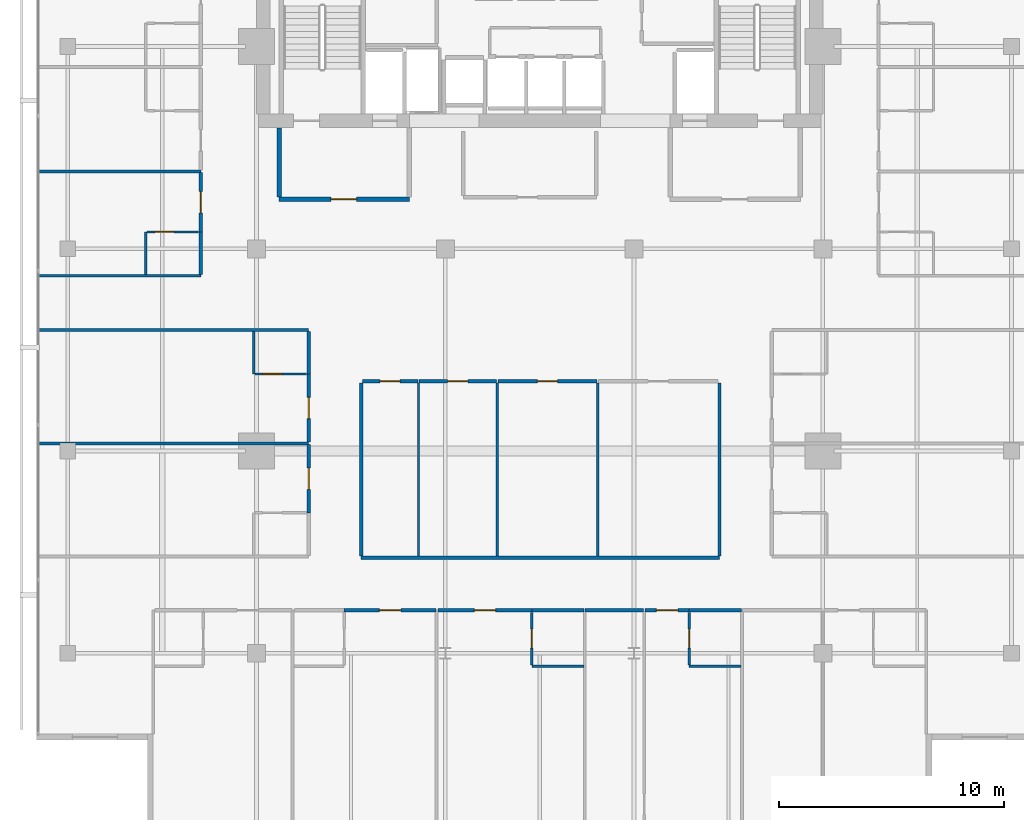
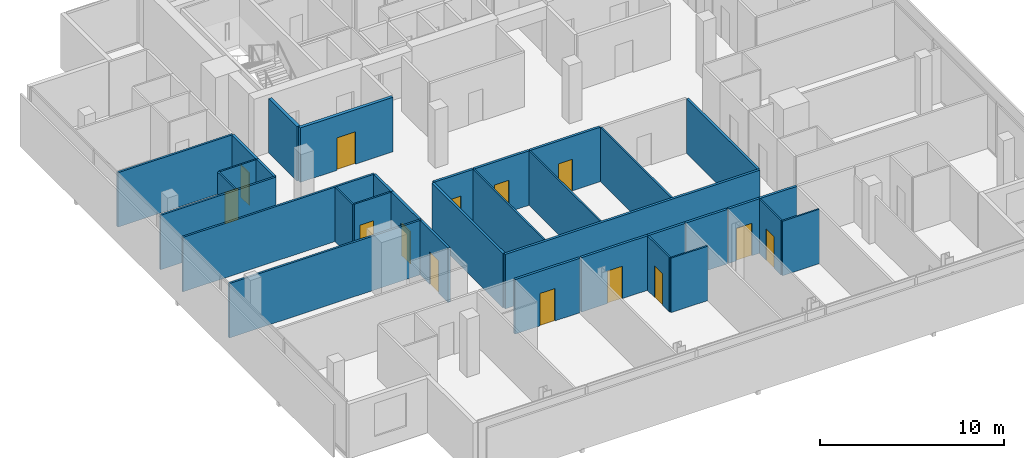
# One storey, part 20 of 26: 34 walls, 14 doors, 14 openings.
"""IFC4 building model written with IfcOpenShell, lengths in metres."""

from ifc_helpers import new_model, si_unit, direction, frame, frame_2d, origin, place, context, subcontext, project, spatial, rectangle, extrude, material, layer, layer_set, type_object, element, fill, save


model = new_model("IFC4")

# Units and contexts
model_context = context("Model", 3, precision=1e-05, world=origin(), true_north=direction((0.0, 1.0)))
body_context = subcontext(model_context, "Body", "Model", "MODEL_VIEW")
ifc_project = project(units=[si_unit("LENGTHUNIT", "METRE"), si_unit("AREAUNIT", "SQUARE_METRE"), si_unit("VOLUMEUNIT", "CUBIC_METRE"), si_unit("PLANEANGLEUNIT", "RADIAN"), si_unit("MASSUNIT", "GRAM", prefix="KILO")], contexts=[model_context])

# Site, building, storey
site_placement = place(None, origin())
site = spatial("IfcSite", under=ifc_project, at=site_placement, CompositionType="ELEMENT")
building_placement = place(site_placement, origin())
building = spatial("IfcBuilding", under=site, at=building_placement, Name="Maruvema Waterfront Hotel and Observation Tower", CompositionType="ELEMENT")
storey_placement = place(building_placement, frame((0.0, 0.0, 293.300048828125)))
storey = spatial("IfcBuildingStorey", under=building, at=storey_placement, Name="L72", CompositionType="ELEMENT", Elevation=293.300048828125)

# Walls
ifc_material_1 = material(Name="Twin-stud acoustic gypsum drywall", Category="gypsum")
ifc_layer_1 = layer(ifc_material_1, 0.14990234375, Name="Acoustic Corridor and Suite Demising Wall 150 mm")
ifc_layer_set_1 = layer_set([ifc_layer_1], Name="Twin-stud acoustic gypsum drywall")
wall_type_1 = type_object("IfcWallType", Name="Acoustic Corridor and Suite Demising Wall 150 mm", PredefinedType="PARTITIONING", material=ifc_layer_set_1)
wall_1_placement = place(storey_placement, frame((29.85009765625, 22.25, 0.0), z_axis=(0.0, 0.0, 1.0), x_axis=(1.0, 0.0, 0.0)))
element("IfcWall", 1, at=wall_1_placement, inside=storey, type_object=wall_type_1, Name="L72 L72-Z3M Back Wall 025", PredefinedType="PARTITIONING", context=body_context, shape_type="SweptSolid", body=[
    extrude(rectangle(XDim=15.949951171875, YDim=0.14990234375, at=frame_2d((7.97509765625, 0.0))), origin(), (0.0, 0.0, 1.0), 3.60986328125),
])
for number, where, z_axis, x_axis, name in (
    (2, (29.85009765625, 22.330078125, 0.0), (0.0, 0.0, 1.0), (0.0, 1.0, 0.0), "L72 L72-Z3M West Wall 026"),
    (3, (45.800048828125, 22.330078125, 0.0), (0.0, 0.0, 1.0), (0.0, 1.0, 0.0), "L72 L72-Z3M East Wall 027"),
):
    element("IfcWall", number, at=place(storey_placement, frame(where, z_axis=z_axis, x_axis=x_axis)), inside=storey, type_object=wall_type_1, Name=name, PredefinedType="PARTITIONING", context=body_context, shape_type="SweptSolid", body=[
        extrude(rectangle(XDim=7.68994140625, YDim=0.14990234375, at=frame_2d((3.844970703125, 0.0))), origin(), (0.0, 0.0, 1.0), 3.60986328125),
    ])

# Wall, opening, door
wall_2_placement = place(storey_placement, frame((29.909912109375, 30.10009765625, 0.0), z_axis=(0.0, 0.0, 1.0), x_axis=(1.0, 0.0, 0.0)))
wall_2 = element("IfcWall", 4, at=wall_2_placement, inside=storey, type_object=wall_type_1, Name="L72 L72-Z3M Front 1 028", PredefinedType="PARTITIONING", context=body_context, shape_type="SweptSolid", body=[
    extrude(rectangle(XDim=2.462158203125, YDim=0.14990234375, at=frame_2d((1.23095703125, 0.0))), origin(), (0.0, 0.0, 1.0), 3.60986328125),
])
opening_1_placement = place(wall_2_placement, frame((0.781005859375, 0.0, 0.0)))
opening_1 = element("IfcOpeningElement", 5, at=opening_1_placement, cuts=wall_2, Name="Opening DR-090", PredefinedType="OPENING", context=body_context, shape_type="SweptSolid", body=[
    extrude(rectangle(XDim=0.89990234375, YDim=2.10009765625, at=frame_2d((0.449951171875, 1.050048828125))), frame((0.0, 0.0849609375, 0.0), z_axis=(0.0, -1.0, 0.0), x_axis=(1.0, 0.0, 0.0)), (0.0, 0.0, 1.0), 0.169921875),
])
ifc_material_2 = material(Name="Solid-core lacquered timber leaf", Category="wood")
door_type_1 = type_object("IfcDoorType", Name="Accessible Toilet and Room Door 900x2100 mm", OperationType="NOTDEFINED", PredefinedType="DOOR", material=ifc_material_2)
door_1_placement = place(opening_1_placement, origin())
door_1 = element("IfcDoor", 6, at=door_1_placement, inside=storey, type_object=door_type_1, Name="L72 Horizon Lounge 1 Door", OperationType="SINGLE_SWING_LEFT", OverallHeight=2.10009765625, OverallWidth=0.89990234375, PredefinedType="DOOR", context=body_context, shape_type="SweptSolid", body=[
    extrude(rectangle(XDim=0.89990234375, YDim=2.10009765625, at=frame_2d((0.449951171875, 1.050048828125))), frame((0.0, 0.02490234375, 0.0), z_axis=(0.0, -1.0, 0.0), x_axis=(1.0, 0.0, 0.0)), (0.0, 0.0, 1.0), 0.050048828125),
])
fill(opening_1, door_1)

wall_3_placement = place(storey_placement, frame((32.431884765625, 30.10009765625, 0.0), z_axis=(0.0, 0.0, 1.0), x_axis=(1.0, 0.0, 0.0)))
wall_3 = element("IfcWall", 7, at=wall_3_placement, inside=storey, type_object=wall_type_1, Name="L72 L72-Z3M Front 2 030", PredefinedType="PARTITIONING", context=body_context, shape_type="SweptSolid", body=[
    extrude(rectangle(XDim=3.44921875, YDim=0.14990234375, at=frame_2d((1.724609375, 0.0))), origin(), (0.0, 0.0, 1.0), 3.60986328125),
])
opening_2_placement = place(wall_3_placement, frame((1.2744140625, 0.0, 0.0)))
opening_2 = element("IfcOpeningElement", 8, at=opening_2_placement, cuts=wall_3, Name="Opening DR-090", PredefinedType="OPENING", context=body_context, shape_type="SweptSolid", body=[
    extrude(rectangle(XDim=0.89990234375, YDim=2.10009765625, at=frame_2d((0.449951171875, 1.050048828125))), frame((0.0, 0.0849609375, 0.0), z_axis=(0.0, -1.0, 0.0), x_axis=(1.0, 0.0, 0.0)), (0.0, 0.0, 1.0), 0.169921875),
])
door_2_placement = place(opening_2_placement, origin())
door_2 = element("IfcDoor", 9, at=door_2_placement, inside=storey, type_object=door_type_1, Name="L72 Horizon Lounge 2 Door", OperationType="SINGLE_SWING_RIGHT", OverallHeight=2.10009765625, OverallWidth=0.89990234375, PredefinedType="DOOR", context=body_context, shape_type="SweptSolid", body=[
    extrude(rectangle(XDim=0.89990234375, YDim=2.10009765625, at=frame_2d((0.449951171875, 1.050048828125))), frame((0.0, 0.02490234375, 0.0), z_axis=(0.0, -1.0, 0.0), x_axis=(1.0, 0.0, 0.0)), (0.0, 0.0, 1.0), 0.050048828125),
])
fill(opening_2, door_2)

wall_4_placement = place(storey_placement, frame((35.94091796875, 30.10009765625, 0.0), z_axis=(0.0, 0.0, 1.0), x_axis=(1.0, 0.0, 0.0)))
wall_4 = element("IfcWall", 10, at=wall_4_placement, inside=storey, type_object=wall_type_1, Name="L72 L72-Z3M Front 3 032", PredefinedType="PARTITIONING", context=body_context, shape_type="SweptSolid", body=[
    extrude(rectangle(XDim=4.406005859375, YDim=0.14990234375, at=frame_2d((2.203125, 0.0))), origin(), (0.0, 0.0, 1.0), 3.60986328125),
])
opening_3_placement = place(wall_4_placement, frame((1.7529296875, 0.0, 0.0)))
opening_3 = element("IfcOpeningElement", 11, at=opening_3_placement, cuts=wall_4, Name="Opening DR-090", PredefinedType="OPENING", context=body_context, shape_type="SweptSolid", body=[
    extrude(rectangle(XDim=0.89990234375, YDim=2.10009765625, at=frame_2d((0.449951171875, 1.050048828125))), frame((0.0, 0.0849609375, 0.0), z_axis=(0.0, -1.0, 0.0), x_axis=(1.0, 0.0, 0.0)), (0.0, 0.0, 1.0), 0.169921875),
])
door_3_placement = place(opening_3_placement, origin())
door_3 = element("IfcDoor", 12, at=door_3_placement, inside=storey, type_object=door_type_1, Name="L72 Horizon Lounge 3 Door", OperationType="SINGLE_SWING_LEFT", OverallHeight=2.10009765625, OverallWidth=0.89990234375, PredefinedType="DOOR", context=body_context, shape_type="SweptSolid", body=[
    extrude(rectangle(XDim=0.89990234375, YDim=2.10009765625, at=frame_2d((0.449951171875, 1.050048828125))), frame((0.0, 0.02490234375, 0.0), z_axis=(0.0, -1.0, 0.0), x_axis=(1.0, 0.0, 0.0)), (0.0, 0.0, 1.0), 0.050048828125),
])
fill(opening_3, door_3)

wall_5_placement = place(storey_placement, frame((29.10009765625, 19.919921875, 0.0), z_axis=(0.0, 0.0, 1.0), x_axis=(1.0, 0.0, 0.0)))
wall_5 = element("IfcWall", 13, at=wall_5_placement, inside=storey, type_object=wall_type_1, Name="L72 Unit L72-S2 Corridor Wall 045", PredefinedType="PARTITIONING", context=body_context, shape_type="SweptSolid", body=[
    extrude(rectangle(XDim=4.079833984375, YDim=0.14990234375, at=frame_2d((2.0400390625, 0.0))), origin(), (0.0, 0.0, 1.0), 3.60986328125),
])
opening_4_placement = place(wall_5_placement, frame((1.56494140625, 0.0, 0.0)))
opening_4 = element("IfcOpeningElement", 14, at=opening_4_placement, cuts=wall_5, Name="Opening DR-095", PredefinedType="OPENING", context=body_context, shape_type="SweptSolid", body=[
    extrude(rectangle(XDim=0.949951171875, YDim=2.14990234375, at=frame_2d((0.47509765625, 1.074951171875))), frame((0.0, 0.0849609375, 0.0), z_axis=(0.0, -1.0, 0.0), x_axis=(1.0, 0.0, 0.0)), (0.0, 0.0, 1.0), 0.169921875),
])
ifc_material_3 = material(Name="Acoustic solid-core hardwood timber leaf", Category="wood")
door_type_2 = type_object("IfcDoorType", Name="Guestroom Entrance Fire Door 950x2150 mm", OperationType="NOTDEFINED", PredefinedType="DOOR", material=ifc_material_3)
door_4_placement = place(opening_4_placement, frame((0.949951171875, 0.0, 0.0), z_axis=(0.0, 0.0, 1.0), x_axis=(-1.0, 0.0, 0.0)))
door_4 = element("IfcDoor", 15, at=door_4_placement, inside=storey, type_object=door_type_2, Name="L72 Unit L72-S2 Entrance Door", OperationType="SINGLE_SWING_RIGHT", OverallHeight=2.14990234375, OverallWidth=0.949951171875, PredefinedType="DOOR", context=body_context, shape_type="SweptSolid", body=[
    extrude(rectangle(XDim=0.949951171875, YDim=2.14990234375, at=frame_2d((0.47509765625, 1.074951171875))), frame((0.0, 0.02490234375, 0.0), z_axis=(0.0, -1.0, 0.0), x_axis=(1.0, 0.0, 0.0)), (0.0, 0.0, 1.0), 0.050048828125),
])
fill(opening_4, door_4)

# Wall
wall_6_placement = place(storey_placement, frame((37.449951171875, 19.919921875, 0.0), z_axis=(0.0, 0.0, 1.0), x_axis=(1.0, 0.0, 0.0)))
element("IfcWall", 16, at=wall_6_placement, inside=storey, type_object=wall_type_1, Name="L72 Bath L72-S3 Back Wall 047", PredefinedType="PARTITIONING", context=body_context, shape_type="SweptSolid", body=[
    extrude(rectangle(XDim=2.330078125, YDim=0.14990234375, at=frame_2d((1.1650390625, 0.0))), origin(), (0.0, 0.0, 1.0), 3.60986328125),
])

# Wall, opening, door
wall_7_placement = place(storey_placement, frame((33.280029296875, 19.919921875, 0.0), z_axis=(0.0, 0.0, 1.0), x_axis=(1.0, 0.0, 0.0)))
wall_7 = element("IfcWall", 17, at=wall_7_placement, inside=storey, type_object=wall_type_1, Name="L72 Unit L72-S3 Corridor Wall 050", PredefinedType="PARTITIONING", context=body_context, shape_type="SweptSolid", body=[
    extrude(rectangle(XDim=4.169921875, YDim=0.14990234375, at=frame_2d((2.0849609375, 0.0))), origin(), (0.0, 0.0, 1.0), 3.60986328125),
])
opening_5_placement = place(wall_7_placement, frame((1.610107421875, 0.0, 0.0)))
opening_5 = element("IfcOpeningElement", 18, at=opening_5_placement, cuts=wall_7, Name="Opening DR-095", PredefinedType="OPENING", context=body_context, shape_type="SweptSolid", body=[
    extrude(rectangle(XDim=0.949951171875, YDim=2.14990234375, at=frame_2d((0.47509765625, 1.074951171875))), frame((0.0, 0.0849609375, 0.0), z_axis=(0.0, -1.0, 0.0), x_axis=(1.0, 0.0, 0.0)), (0.0, 0.0, 1.0), 0.169921875),
])
door_5_placement = place(opening_5_placement, frame((0.949951171875, 0.0, 0.0), z_axis=(0.0, 0.0, 1.0), x_axis=(-1.0, 0.0, 0.0)))
door_5 = element("IfcDoor", 19, at=door_5_placement, inside=storey, type_object=door_type_2, Name="L72 Unit L72-S3 Entrance Door", OperationType="SINGLE_SWING_RIGHT", OverallHeight=2.14990234375, OverallWidth=0.949951171875, PredefinedType="DOOR", context=body_context, shape_type="SweptSolid", body=[
    extrude(rectangle(XDim=0.949951171875, YDim=2.14990234375, at=frame_2d((0.47509765625, 1.074951171875))), frame((0.0, 0.02490234375, 0.0), z_axis=(0.0, -1.0, 0.0), x_axis=(1.0, 0.0, 0.0)), (0.0, 0.0, 1.0), 0.050048828125),
])
fill(opening_5, door_5)

# Walls
wall_8_placement = place(storey_placement, frame((44.449951171875, 19.919921875, 0.0), z_axis=(0.0, 0.0, 1.0), x_axis=(1.0, 0.0, 0.0)))
element("IfcWall", 20, at=wall_8_placement, inside=storey, type_object=wall_type_1, Name="L72 Bath L72-S4 Back Wall 052", PredefinedType="PARTITIONING", context=body_context, shape_type="SweptSolid", body=[
    extrude(rectangle(XDim=2.330078125, YDim=0.14990234375, at=frame_2d((1.1650390625, 0.0))), origin(), (0.0, 0.0, 1.0), 3.60986328125),
])
wall_9_placement = place(storey_placement, frame((39.820068359375, 19.919921875, 0.0), z_axis=(0.0, 0.0, 1.0), x_axis=(1.0, 0.0, 0.0)))
element("IfcWall", 21, at=wall_9_placement, inside=storey, type_object=wall_type_1, Name="L72 Bedroom L72-S4 Back Wall 055", PredefinedType="PARTITIONING", context=body_context, shape_type="SweptSolid", body=[
    extrude(rectangle(XDim=2.58984375, YDim=0.14990234375, at=frame_2d((1.294921875, 0.0))), origin(), (0.0, 0.0, 1.0), 3.60986328125),
])

# Wall, opening, door
wall_10_placement = place(storey_placement, frame((42.489990234375, 19.919921875, 0.0), z_axis=(0.0, 0.0, 1.0), x_axis=(1.0, 0.0, 0.0)))
wall_10 = element("IfcWall", 22, at=wall_10_placement, inside=storey, type_object=wall_type_1, Name="L72 Unit L72-S4 Corridor Wall 056", PredefinedType="PARTITIONING", context=body_context, shape_type="SweptSolid", body=[
    extrude(rectangle(XDim=1.9599609375, YDim=0.14990234375, at=frame_2d((0.97998046875, 0.0))), origin(), (0.0, 0.0, 1.0), 3.60986328125),
])
opening_6_placement = place(wall_10_placement, frame((0.5048828125, 0.0, 0.0)))
opening_6 = element("IfcOpeningElement", 23, at=opening_6_placement, cuts=wall_10, Name="Opening DR-095", PredefinedType="OPENING", context=body_context, shape_type="SweptSolid", body=[
    extrude(rectangle(XDim=0.949951171875, YDim=2.14990234375, at=frame_2d((0.47509765625, 1.074951171875))), frame((0.0, 0.0849609375, 0.0), z_axis=(0.0, -1.0, 0.0), x_axis=(1.0, 0.0, 0.0)), (0.0, 0.0, 1.0), 0.169921875),
])
door_6_placement = place(opening_6_placement, frame((0.949951171875, 0.0, 0.0), z_axis=(0.0, 0.0, 1.0), x_axis=(-1.0, 0.0, 0.0)))
door_6 = element("IfcDoor", 24, at=door_6_placement, inside=storey, type_object=door_type_2, Name="L72 Unit L72-S4 Entrance Door", OperationType="SINGLE_SWING_RIGHT", OverallHeight=2.14990234375, OverallWidth=0.949951171875, PredefinedType="DOOR", context=body_context, shape_type="SweptSolid", body=[
    extrude(rectangle(XDim=0.949951171875, YDim=2.14990234375, at=frame_2d((0.47509765625, 1.074951171875))), frame((0.0, 0.02490234375, 0.0), z_axis=(0.0, -1.0, 0.0), x_axis=(1.0, 0.0, 0.0)), (0.0, 0.0, 1.0), 0.050048828125),
])
fill(opening_6, door_6)

wall_11_placement = place(storey_placement, frame((27.52001953125, 24.25, 0.0), z_axis=(0.0, 0.0, 1.0), x_axis=(0.0, 1.0, 0.0)))
wall_11 = element("IfcWall", 25, at=wall_11_placement, inside=storey, type_object=wall_type_1, Name="L72 Room L72-W1 Corridor Wall 070", PredefinedType="PARTITIONING", context=body_context, shape_type="SweptSolid", body=[
    extrude(rectangle(XDim=3.030029296875, YDim=0.14990234375, at=frame_2d((1.51513671875, 0.0))), origin(), (0.0, 0.0, 1.0), 3.60986328125),
])
opening_7_placement = place(wall_11_placement, frame((1.0400390625, 0.0, 0.0)))
opening_7 = element("IfcOpeningElement", 26, at=opening_7_placement, cuts=wall_11, Name="Opening DR-095", PredefinedType="OPENING", context=body_context, shape_type="SweptSolid", body=[
    extrude(rectangle(XDim=0.949951171875, YDim=2.14990234375, at=frame_2d((0.47509765625, 1.074951171875))), frame((0.0, 0.0849609375, 0.0), z_axis=(0.0, -1.0, 0.0), x_axis=(1.0, 0.0, 0.0)), (0.0, 0.0, 1.0), 0.169921875),
])
door_7_placement = place(opening_7_placement, origin())
door_7 = element("IfcDoor", 27, at=door_7_placement, inside=storey, type_object=door_type_2, Name="L72 Room L72-W1 Entrance Door", OperationType="SINGLE_SWING_RIGHT", OverallHeight=2.14990234375, OverallWidth=0.949951171875, PredefinedType="DOOR", context=body_context, shape_type="SweptSolid", body=[
    extrude(rectangle(XDim=0.949951171875, YDim=2.14990234375, at=frame_2d((0.47509765625, 1.074951171875))), frame((0.0, 0.02490234375, 0.0), z_axis=(0.0, -1.0, 0.0), x_axis=(1.0, 0.0, 0.0)), (0.0, 0.0, 1.0), 0.050048828125),
])
fill(opening_7, door_7)

wall_12_placement = place(storey_placement, frame((27.52001953125, 27.39990234375, 0.0), z_axis=(0.0, 0.0, 1.0), x_axis=(0.0, 1.0, 0.0)))
wall_12 = element("IfcWall", 28, at=wall_12_placement, inside=storey, type_object=wall_type_1, Name="L72 Room L72-W2 Corridor Wall 079", PredefinedType="PARTITIONING", context=body_context, shape_type="SweptSolid", body=[
    extrude(rectangle(XDim=3.030029296875, YDim=0.14990234375, at=frame_2d((1.51513671875, 0.0))), origin(), (0.0, 0.0, 1.0), 3.60986328125),
])
opening_8_placement = place(wall_12_placement, frame((1.0400390625, 0.0, 0.0)))
opening_8 = element("IfcOpeningElement", 29, at=opening_8_placement, cuts=wall_12, Name="Opening DR-095", PredefinedType="OPENING", context=body_context, shape_type="SweptSolid", body=[
    extrude(rectangle(XDim=0.949951171875, YDim=2.14990234375, at=frame_2d((0.47509765625, 1.074951171875))), frame((0.0, 0.0849609375, 0.0), z_axis=(0.0, -1.0, 0.0), x_axis=(1.0, 0.0, 0.0)), (0.0, 0.0, 1.0), 0.169921875),
])
door_8_placement = place(opening_8_placement, origin())
door_8 = element("IfcDoor", 30, at=door_8_placement, inside=storey, type_object=door_type_2, Name="L72 Room L72-W2 Entrance Door", OperationType="SINGLE_SWING_RIGHT", OverallHeight=2.14990234375, OverallWidth=0.949951171875, PredefinedType="DOOR", context=body_context, shape_type="SweptSolid", body=[
    extrude(rectangle(XDim=0.949951171875, YDim=2.14990234375, at=frame_2d((0.47509765625, 1.074951171875))), frame((0.0, 0.02490234375, 0.0), z_axis=(0.0, -1.0, 0.0), x_axis=(1.0, 0.0, 0.0)), (0.0, 0.0, 1.0), 0.050048828125),
])
fill(opening_8, door_8)

# Walls
wall_13_placement = place(storey_placement, frame((27.52001953125, 30.429931640625, 0.0), z_axis=(0.0, 0.0, 1.0), x_axis=(0.0, 1.0, 0.0)))
element("IfcWall", 31, at=wall_13_placement, inside=storey, type_object=wall_type_1, Name="L72 Bath L72-W2 Wall 080", PredefinedType="PARTITIONING", context=body_context, shape_type="SweptSolid", body=[
    extrude(rectangle(XDim=1.89013671875, YDim=0.14990234375, at=frame_2d((0.945068359375, 0.0))), origin(), (0.0, 0.0, 1.0), 3.60986328125),
])
wall_14_placement = place(storey_placement, frame((22.719970703125, 34.860107421875, 0.0), z_axis=(0.0, 0.0, 1.0), x_axis=(0.0, 1.0, 0.0)))
element("IfcWall", 32, at=wall_14_placement, inside=storey, type_object=wall_type_1, Name="L72 Bath L72-NW1 Wall 091", PredefinedType="PARTITIONING", context=body_context, shape_type="SweptSolid", body=[
    extrude(rectangle(XDim=1.889892578125, YDim=0.14990234375, at=frame_2d((0.94482421875, 0.0))), origin(), (0.0, 0.0, 1.0), 3.60986328125),
])

# Wall, opening, door
wall_15_placement = place(storey_placement, frame((22.719970703125, 36.75, 0.0), z_axis=(0.0, 0.0, 1.0), x_axis=(0.0, 1.0, 0.0)))
wall_15 = element("IfcWall", 33, at=wall_15_placement, inside=storey, type_object=wall_type_1, Name="L72 Room L72-NW1 Corridor Wall 092", PredefinedType="PARTITIONING", context=body_context, shape_type="SweptSolid", body=[
    extrude(rectangle(XDim=2.6357421875, YDim=0.14990234375, at=frame_2d((1.31787109375, 0.0))), origin(), (0.0, 0.0, 1.0), 3.60986328125),
])
opening_9_placement = place(wall_15_placement, frame((0.843017578125, 0.0, 0.0)))
opening_9 = element("IfcOpeningElement", 34, at=opening_9_placement, cuts=wall_15, Name="Opening DR-095", PredefinedType="OPENING", context=body_context, shape_type="SweptSolid", body=[
    extrude(rectangle(XDim=0.949951171875, YDim=2.14990234375, at=frame_2d((0.47509765625, 1.074951171875))), frame((0.0, 0.0849609375, 0.0), z_axis=(0.0, -1.0, 0.0), x_axis=(1.0, 0.0, 0.0)), (0.0, 0.0, 1.0), 0.169921875),
])
door_9_placement = place(opening_9_placement, origin())
door_9 = element("IfcDoor", 35, at=door_9_placement, inside=storey, type_object=door_type_2, Name="L72 Room L72-NW1 Entrance Door", OperationType="SINGLE_SWING_RIGHT", OverallHeight=2.14990234375, OverallWidth=0.949951171875, PredefinedType="DOOR", context=body_context, shape_type="SweptSolid", body=[
    extrude(rectangle(XDim=0.949951171875, YDim=2.14990234375, at=frame_2d((0.47509765625, 1.074951171875))), frame((0.0, 0.02490234375, 0.0), z_axis=(0.0, -1.0, 0.0), x_axis=(1.0, 0.0, 0.0)), (0.0, 0.0, 1.0), 0.050048828125),
])
fill(opening_9, door_9)

# Walls
ifc_material_4 = material(Name="Moisture-resistant cement-board drywall", Category="gypsum")
ifc_layer_2 = layer(ifc_material_4, 0.10009765625, Name="En-Suite Moisture-Resistant Partition 100 mm")
ifc_layer_set_2 = layer_set([ifc_layer_2], Name="Moisture-resistant cement-board drywall")
wall_type_2 = type_object("IfcWallType", Name="En-Suite Moisture-Resistant Partition 100 mm", PredefinedType="PARTITIONING", material=ifc_layer_set_2)
for number, where, z_axis, x_axis, name in (
    (36, (32.402099609375, 22.330078125, 0.0), (0.0, 0.0, 1.0), (0.0, 1.0, 0.0), "L72 L72-Z3M Split 1 029"),
    (37, (35.910888671875, 22.330078125, 0.0), (0.0, 0.0, 1.0), (0.0, 1.0, 0.0), "L72 L72-Z3M Split 2 031"),
    (38, (40.376953125, 22.330078125, 0.0), (0.0, 0.0, 1.0), (0.0, 1.0, 0.0), "L72 L72-Z3M Split 3 033"),
):
    element("IfcWall", number, at=place(storey_placement, frame(where, z_axis=z_axis, x_axis=x_axis)), inside=storey, type_object=wall_type_2, Name=name, PredefinedType="PARTITIONING", context=body_context, shape_type="SweptSolid", body=[
        extrude(rectangle(XDim=7.68994140625, YDim=0.10009765625, at=frame_2d((3.844970703125, 0.0))), origin(), (0.0, 0.0, 1.0), 3.60986328125),
    ])
wall_16_placement = place(storey_placement, frame((37.449951171875, 17.419921875, 0.0), z_axis=(0.0, 0.0, 1.0), x_axis=(1.0, 0.0, 0.0)))
element("IfcWall", 39, at=wall_16_placement, inside=storey, type_object=wall_type_2, Name="L72 En-Suite L72-S3 South 048", PredefinedType="PARTITIONING", context=body_context, shape_type="SweptSolid", body=[
    extrude(rectangle(XDim=2.31005859375, YDim=0.10009765625, at=frame_2d((1.155029296875, 0.0))), origin(), (0.0, 0.0, 1.0), 3.60986328125),
])

# Wall, opening, door
wall_17_placement = place(storey_placement, frame((37.449951171875, 17.47998046875, 0.0), z_axis=(0.0, 0.0, 1.0), x_axis=(0.0, 1.0, 0.0)))
wall_17 = element("IfcWall", 40, at=wall_17_placement, inside=storey, type_object=wall_type_2, Name="L72 En-Suite L72-S3 West 049", PredefinedType="PARTITIONING", context=body_context, shape_type="SweptSolid", body=[
    extrude(rectangle(XDim=2.340087890625, YDim=0.10009765625, at=frame_2d((1.169921875, 0.0))), origin(), (0.0, 0.0, 1.0), 3.60986328125),
])
opening_10_placement = place(wall_17_placement, frame((0.7451171875, 0.0, 0.0)))
opening_10 = element("IfcOpeningElement", 41, at=opening_10_placement, cuts=wall_17, Name="Opening DR-085", PredefinedType="OPENING", context=body_context, shape_type="SweptSolid", body=[
    extrude(rectangle(XDim=0.85009765625, YDim=2.10009765625, at=frame_2d((0.425048828125, 1.050048828125))), frame((0.0, 0.06005859375, 0.0), z_axis=(0.0, -1.0, 0.0), x_axis=(1.0, 0.0, 0.0)), (0.0, 0.0, 1.0), 0.1201171875),
])
ifc_material_5 = material(Name="Moisture-resistant solid timber leaf", Category="wood")
door_type_3 = type_object("IfcDoorType", Name="En-Suite Bathroom Door 850x2100 mm", OperationType="NOTDEFINED", PredefinedType="DOOR", material=ifc_material_5)
door_10_placement = place(opening_10_placement, origin())
door_10 = element("IfcDoor", 42, at=door_10_placement, inside=storey, type_object=door_type_3, Name="L72 En-Suite L72-S3 Door", OperationType="SINGLE_SWING_LEFT", OverallHeight=2.10009765625, OverallWidth=0.85009765625, PredefinedType="DOOR", context=body_context, shape_type="SweptSolid", body=[
    extrude(rectangle(XDim=0.85009765625, YDim=2.10009765625, at=frame_2d((0.425048828125, 1.050048828125))), frame((0.0, 0.02490234375, 0.0), z_axis=(0.0, -1.0, 0.0), x_axis=(1.0, 0.0, 0.0)), (0.0, 0.0, 1.0), 0.050048828125),
])
fill(opening_10, door_10)

# Wall
wall_18_placement = place(storey_placement, frame((44.449951171875, 17.419921875, 0.0), z_axis=(0.0, 0.0, 1.0), x_axis=(1.0, 0.0, 0.0)))
element("IfcWall", 43, at=wall_18_placement, inside=storey, type_object=wall_type_2, Name="L72 En-Suite L72-S4 South 053", PredefinedType="PARTITIONING", context=body_context, shape_type="SweptSolid", body=[
    extrude(rectangle(XDim=2.31005859375, YDim=0.10009765625, at=frame_2d((1.155029296875, 0.0))), origin(), (0.0, 0.0, 1.0), 3.60986328125),
])

# Wall, opening, door
wall_19_placement = place(storey_placement, frame((44.449951171875, 17.47998046875, 0.0), z_axis=(0.0, 0.0, 1.0), x_axis=(0.0, 1.0, 0.0)))
wall_19 = element("IfcWall", 44, at=wall_19_placement, inside=storey, type_object=wall_type_2, Name="L72 En-Suite L72-S4 West 054", PredefinedType="PARTITIONING", context=body_context, shape_type="SweptSolid", body=[
    extrude(rectangle(XDim=2.340087890625, YDim=0.10009765625, at=frame_2d((1.169921875, 0.0))), origin(), (0.0, 0.0, 1.0), 3.60986328125),
])
opening_11_placement = place(wall_19_placement, frame((0.7451171875, 0.0, 0.0)))
opening_11 = element("IfcOpeningElement", 45, at=opening_11_placement, cuts=wall_19, Name="Opening DR-085", PredefinedType="OPENING", context=body_context, shape_type="SweptSolid", body=[
    extrude(rectangle(XDim=0.85009765625, YDim=2.10009765625, at=frame_2d((0.425048828125, 1.050048828125))), frame((0.0, 0.06005859375, 0.0), z_axis=(0.0, -1.0, 0.0), x_axis=(1.0, 0.0, 0.0)), (0.0, 0.0, 1.0), 0.1201171875),
])
door_11_placement = place(opening_11_placement, origin())
door_11 = element("IfcDoor", 46, at=door_11_placement, inside=storey, type_object=door_type_3, Name="L72 En-Suite L72-S4 Door", OperationType="SINGLE_SWING_LEFT", OverallHeight=2.10009765625, OverallWidth=0.85009765625, PredefinedType="DOOR", context=body_context, shape_type="SweptSolid", body=[
    extrude(rectangle(XDim=0.85009765625, YDim=2.10009765625, at=frame_2d((0.425048828125, 1.050048828125))), frame((0.0, 0.02490234375, 0.0), z_axis=(0.0, -1.0, 0.0), x_axis=(1.0, 0.0, 0.0)), (0.0, 0.0, 1.0), 0.050048828125),
])
fill(opening_11, door_11)

# Wall
wall_20_placement = place(storey_placement, frame((25.070068359375, 30.429931640625, 0.0), z_axis=(0.0, 0.0, 1.0), x_axis=(0.0, 1.0, 0.0)))
element("IfcWall", 47, at=wall_20_placement, inside=storey, type_object=wall_type_2, Name="L72 En-Suite L72-W2 W 081", PredefinedType="PARTITIONING", context=body_context, shape_type="SweptSolid", body=[
    extrude(rectangle(XDim=1.89013671875, YDim=0.10009765625, at=frame_2d((0.945068359375, 0.0))), origin(), (0.0, 0.0, 1.0), 3.60986328125),
])

# Wall, opening, door
wall_21_placement = place(storey_placement, frame((25.1201171875, 30.429931640625, 0.0), z_axis=(0.0, 0.0, 1.0), x_axis=(1.0, 0.0, 0.0)))
wall_21 = element("IfcWall", 48, at=wall_21_placement, inside=storey, type_object=wall_type_2, Name="L72 En-Suite L72-W2 S 082", PredefinedType="PARTITIONING", context=body_context, shape_type="SweptSolid", body=[
    extrude(rectangle(XDim=2.2998046875, YDim=0.10009765625, at=frame_2d((1.14990234375, 0.0))), origin(), (0.0, 0.0, 1.0), 3.60986328125),
])
opening_12_placement = place(wall_21_placement, frame((0.35009765625, 0.0, 0.0)))
opening_12 = element("IfcOpeningElement", 49, at=opening_12_placement, cuts=wall_21, Name="Opening DR-085", PredefinedType="OPENING", context=body_context, shape_type="SweptSolid", body=[
    extrude(rectangle(XDim=0.85009765625, YDim=2.10009765625, at=frame_2d((0.425048828125, 1.050048828125))), frame((0.0, 0.06005859375, 0.0), z_axis=(0.0, -1.0, 0.0), x_axis=(1.0, 0.0, 0.0)), (0.0, 0.0, 1.0), 0.1201171875),
])
door_12_placement = place(opening_12_placement, frame((0.85009765625, 0.0, 0.0), z_axis=(0.0, 0.0, 1.0), x_axis=(-1.0, 0.0, 0.0)))
door_12 = element("IfcDoor", 50, at=door_12_placement, inside=storey, type_object=door_type_3, Name="L72 En-Suite L72-W2 Door", OperationType="SINGLE_SWING_LEFT", OverallHeight=2.10009765625, OverallWidth=0.85009765625, PredefinedType="DOOR", context=body_context, shape_type="SweptSolid", body=[
    extrude(rectangle(XDim=0.85009765625, YDim=2.10009765625, at=frame_2d((0.425048828125, 1.050048828125))), frame((0.0, 0.02490234375, 0.0), z_axis=(0.0, -1.0, 0.0), x_axis=(1.0, 0.0, 0.0)), (0.0, 0.0, 1.0), 0.050048828125),
])
fill(opening_12, door_12)

# Wall
wall_22_placement = place(storey_placement, frame((20.27001953125, 34.860107421875, 0.0), z_axis=(0.0, 0.0, 1.0), x_axis=(0.0, 1.0, 0.0)))
element("IfcWall", 51, at=wall_22_placement, inside=storey, type_object=wall_type_2, Name="L72 En-Suite L72-NW1 W 093", PredefinedType="PARTITIONING", context=body_context, shape_type="SweptSolid", body=[
    extrude(rectangle(XDim=1.889892578125, YDim=0.10009765625, at=frame_2d((0.94482421875, 0.0))), origin(), (0.0, 0.0, 1.0), 3.60986328125),
])

# Wall, opening, door
wall_23_placement = place(storey_placement, frame((20.320068359375, 36.75, 0.0), z_axis=(0.0, 0.0, 1.0), x_axis=(1.0, 0.0, 0.0)))
wall_23 = element("IfcWall", 52, at=wall_23_placement, inside=storey, type_object=wall_type_2, Name="L72 En-Suite L72-NW1 N 094", PredefinedType="PARTITIONING", context=body_context, shape_type="SweptSolid", body=[
    extrude(rectangle(XDim=2.300048828125, YDim=0.10009765625, at=frame_2d((1.14990234375, 0.0))), origin(), (0.0, 0.0, 1.0), 3.60986328125),
])
opening_13_placement = place(wall_23_placement, frame((0.35009765625, 0.0, 0.0)))
opening_13 = element("IfcOpeningElement", 53, at=opening_13_placement, cuts=wall_23, Name="Opening DR-085", PredefinedType="OPENING", context=body_context, shape_type="SweptSolid", body=[
    extrude(rectangle(XDim=0.85009765625, YDim=2.10009765625, at=frame_2d((0.425048828125, 1.050048828125))), frame((0.0, 0.06005859375, 0.0), z_axis=(0.0, -1.0, 0.0), x_axis=(1.0, 0.0, 0.0)), (0.0, 0.0, 1.0), 0.1201171875),
])
door_13_placement = place(opening_13_placement, origin())
door_13 = element("IfcDoor", 54, at=door_13_placement, inside=storey, type_object=door_type_3, Name="L72 En-Suite L72-NW1 Door", OperationType="SINGLE_SWING_LEFT", OverallHeight=2.10009765625, OverallWidth=0.85009765625, PredefinedType="DOOR", context=body_context, shape_type="SweptSolid", body=[
    extrude(rectangle(XDim=0.85009765625, YDim=2.10009765625, at=frame_2d((0.425048828125, 1.050048828125))), frame((0.0, 0.02490234375, 0.0), z_axis=(0.0, -1.0, 0.0), x_axis=(1.0, 0.0, 0.0)), (0.0, 0.0, 1.0), 0.050048828125),
])
fill(opening_13, door_13)

ifc_material_6 = material(Name="Autoclaved cellular concrete blockwork", Category="masonry")
ifc_layer_3 = layer(ifc_material_6, 0.199951171875, Name="Fire Compartment Masonry Wall 200 mm")
ifc_layer_set_3 = layer_set([ifc_layer_3], Name="Autoclaved cellular concrete blockwork")
wall_type_3 = type_object("IfcWallType", Name="Fire Compartment Masonry Wall 200 mm", PredefinedType="PARTITIONING", material=ifc_layer_set_3)
wall_24_placement = place(storey_placement, frame((26.199951171875, 38.199951171875, 0.0), z_axis=(0.0, 0.0, 1.0), x_axis=(1.0, 0.0, 0.0)))
wall_24 = element("IfcWall", 55, at=wall_24_placement, inside=storey, type_object=wall_type_3, Name="L72 FFL West South Wall 001", PredefinedType="PARTITIONING", context=body_context, shape_type="SweptSolid", body=[
    extrude(rectangle(XDim=5.800048828125, YDim=0.199951171875, at=frame_2d((2.89990234375, 0.0))), origin(), (0.0, 0.0, 1.0), 3.60986328125),
])
opening_14_placement = place(wall_24_placement, frame((2.300048828125, 0.0, 0.0)))
opening_14 = element("IfcOpeningElement", 56, at=opening_14_placement, cuts=wall_24, Name="Opening FD-115", PredefinedType="OPENING", context=body_context, shape_type="SweptSolid", body=[
    extrude(rectangle(XDim=1.14990234375, YDim=2.14990234375, at=frame_2d((0.574951171875, 1.074951171875))), frame((0.0, 0.10986328125, 0.0), z_axis=(0.0, -1.0, 0.0), x_axis=(1.0, 0.0, 0.0)), (0.0, 0.0, 1.0), 0.219970703125),
])
ifc_material_7 = material(Name="Fire-rated galvanised steel and vision glass", Category="steel")
door_type_4 = type_object("IfcDoorType", Name="Firefighting Lobby Fire Door 1150x2150 mm", OperationType="NOTDEFINED", PredefinedType="DOOR", material=ifc_material_7)
door_14_placement = place(opening_14_placement, frame((1.14990234375, 0.0, 0.0), z_axis=(0.0, 0.0, 1.0), x_axis=(-1.0, 0.0, 0.0)))
door_14 = element("IfcDoor", 57, at=door_14_placement, inside=storey, type_object=door_type_4, Name="L72 Firefighting Lobby West Door", OperationType="SINGLE_SWING_RIGHT", OverallHeight=2.14990234375, OverallWidth=1.14990234375, PredefinedType="DOOR", context=body_context, shape_type="SweptSolid", body=[
    extrude(rectangle(XDim=1.14990234375, YDim=2.14990234375, at=frame_2d((0.574951171875, 1.074951171875))), frame((0.0, 0.02490234375, 0.0), z_axis=(0.0, -1.0, 0.0), x_axis=(1.0, 0.0, 0.0)), (0.0, 0.0, 1.0), 0.050048828125),
])
fill(opening_14, door_14)

# Walls
wall_25_placement = place(storey_placement, frame((26.199951171875, 38.31005859375, 0.0), z_axis=(0.0, 0.0, 1.0), x_axis=(0.0, 1.0, 0.0)))
element("IfcWall", 58, at=wall_25_placement, inside=storey, type_object=wall_type_3, Name="L72 FFL West West Wall 002", PredefinedType="PARTITIONING", context=body_context, shape_type="SweptSolid", body=[
    extrude(rectangle(XDim=3.06982421875, YDim=0.199951171875, at=frame_2d((1.534912109375, 0.0))), origin(), (0.0, 0.0, 1.0), 3.60986328125),
])
ifc_material_8 = material(Name="Acoustic gypsum plasterboard drywall", Category="gypsum")
ifc_layer_4 = layer(ifc_material_8, 0.125, Name="Guestroom Acoustic Demising Wall 125 mm")
ifc_layer_set_4 = layer_set([ifc_layer_4], Name="Acoustic gypsum plasterboard drywall")
wall_type_4 = type_object("IfcWallType", Name="Guestroom Acoustic Demising Wall 125 mm", PredefinedType="PARTITIONING", material=ifc_layer_set_4)
for number, where, z_axis, x_axis, name in (
    (59, (15.5, 32.3798828125, 0.0), (0.0, 0.0, 1.0), (1.0, 0.0, 0.0), "L72 Z3 W Top End 067"),
    (60, (15.5, 27.340087890625, 0.0), (0.0, 0.0, 1.0), (1.0, 0.0, 0.0), "L72 Z3 W Demising 2 077"),
):
    element("IfcWall", number, at=place(storey_placement, frame(where, z_axis=z_axis, x_axis=x_axis)), inside=storey, type_object=wall_type_4, Name=name, PredefinedType="PARTITIONING", context=body_context, shape_type="SweptSolid", body=[
        extrude(rectangle(XDim=12.02001953125, YDim=0.125, at=frame_2d((6.010009765625, 0.0))), origin(), (0.0, 0.0, 1.0), 3.60986328125),
    ])
for number, where, z_axis, x_axis, name in (
    (61, (15.5, 34.800048828125, 0.0), (0.0, 0.0, 1.0), (1.0, 0.0, 0.0), "L72 Z3 NW Bot End 087"),
    (62, (15.5, 39.44580078125, 0.0), (0.0, 0.0, 1.0), (1.0, 0.0, 0.0), "L72 Z3 NW Demising 2 099"),
):
    element("IfcWall", number, at=place(storey_placement, frame(where, z_axis=z_axis, x_axis=x_axis)), inside=storey, type_object=wall_type_4, Name=name, PredefinedType="PARTITIONING", context=body_context, shape_type="SweptSolid", body=[
        extrude(rectangle(XDim=7.219970703125, YDim=0.125, at=frame_2d((3.60986328125, 0.0))), origin(), (0.0, 0.0, 1.0), 3.60986328125),
    ])

save(model, "model.ifc")
